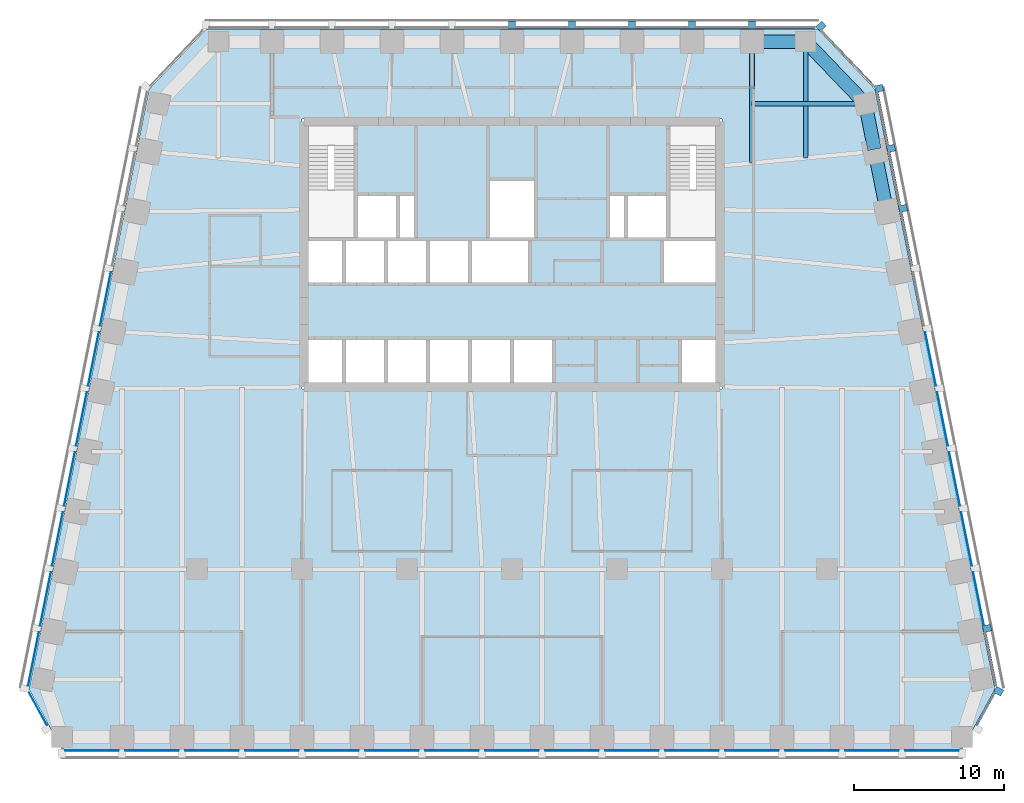
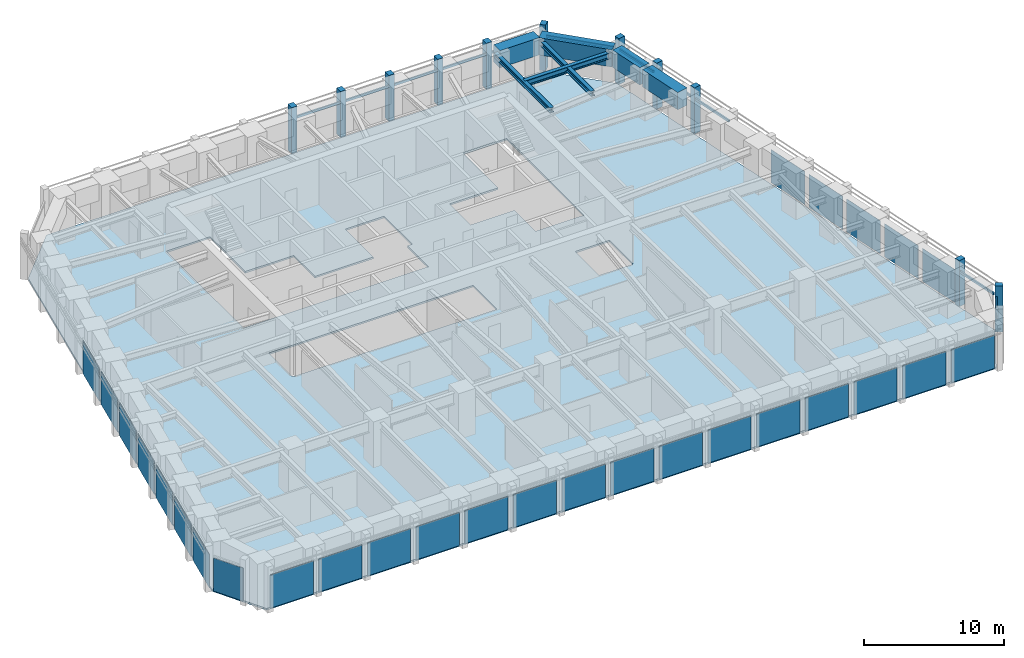
# One storey, part 4 of 10: 28 plates, 22 members, 7 beams, 1 slab, 7 elements without a shape of their own.
"""IFC4 building model written with IfcOpenShell, lengths in metres."""

from ifc_helpers import new_model, si_unit, direction, frame, origin, origin_2d, place, context, subcontext, project, spatial, polyline, rectangle, i_section, outline, extrude, material, layer, layer_set, material_profile, profile_set, type_object, element, aggregate, save


model = new_model("IFC4")

# Units and contexts
model_context = context("Model", 3, precision=1e-05, world=origin(), true_north=direction((0.0, 1.0)))
body_context = subcontext(model_context, "Body", "Model", "MODEL_VIEW")
ifc_project = project(units=[si_unit("LENGTHUNIT", "METRE"), si_unit("AREAUNIT", "SQUARE_METRE"), si_unit("VOLUMEUNIT", "CUBIC_METRE"), si_unit("PLANEANGLEUNIT", "RADIAN"), si_unit("MASSUNIT", "GRAM", prefix="KILO")], contexts=[model_context])

# Site, building, storey
site_placement = place(None, origin())
site = spatial("IfcSite", under=ifc_project, at=site_placement, CompositionType="ELEMENT")
building_placement = place(site_placement, origin())
building = spatial("IfcBuilding", under=site, at=building_placement, Name="Isbrekke Arena Tower", CompositionType="ELEMENT")
storey_placement = place(building_placement, frame((0.0, 0.0, 238.0)))
storey = spatial("IfcBuildingStorey", under=building, at=storey_placement, Name="L55", CompositionType="ELEMENT", Elevation=238.0)

# Beams
ifc_material_1 = material(Name="Steel S355", Category="steel")
ifc_material_profile_1 = material_profile(ifc_material_1, i_section(OverallWidth=0.305908203125, OverallDepth=0.52392578125, WebThickness=0.02099609375, FlangeThickness=0.0400390625, FilletRadius=0.027099609375, at=origin_2d()), Name="HEM 500")
ifc_profile_set_1 = profile_set([ifc_material_profile_1], Name="Steel S355")
beam_type_1 = type_object("IfcBeamType", Name="B5 HEM 500", PredefinedType="BEAM", material=ifc_profile_set_1)
beam_1_placement = place(storey_placement, frame((23.40283203125, 25.029296875, 3.488037109375), z_axis=(-1.0, 0.0, 0.0), x_axis=(0.0, -1.0, 0.0)))
element("IfcBeam", 1, at=beam_1_placement, inside=storey, type_object=beam_type_1, Name="B5 beam E-E11 L55", PredefinedType="BEAM", context=body_context, shape_type="SweptSolid", body=[
    extrude(i_section(OverallWidth=0.305908203125, OverallDepth=0.52392578125, WebThickness=0.02099609375, FlangeThickness=0.0400390625, FilletRadius=0.027099609375, at=origin_2d()), origin(), (0.0, 0.0, 1.0), 7.40283203125),
])
ifc_material_2 = material(Name="Steel S355", Category="steel")
ifc_material_profile_2 = material_profile(ifc_material_2, i_section(OverallWidth=0.306884765625, OverallDepth=0.431884765625, WebThickness=0.02099609375, FlangeThickness=0.0400390625, FilletRadius=0.027099609375, at=origin_2d()), Name="HEM 400")
ifc_profile_set_2 = profile_set([ifc_material_profile_2], Name="Steel S355")
beam_type_2 = type_object("IfcBeamType", Name="B6 HEM 400", PredefinedType="BEAM", material=ifc_profile_set_2)
beam_2_placement = place(storey_placement, frame((19.574951171875, 29.02490234375, 3.533935546875), z_axis=(0.0, -1.0, 0.0), x_axis=(1.0, 0.0, 0.0)))
element("IfcBeam", 2, at=beam_2_placement, inside=storey, type_object=beam_type_2, Name="B6 beam N-N01 L55", PredefinedType="BEAM", context=body_context, shape_type="SweptSolid", body=[
    extrude(i_section(OverallWidth=0.306884765625, OverallDepth=0.431884765625, WebThickness=0.02099609375, FlangeThickness=0.0400390625, FilletRadius=0.027099609375, at=origin_2d()), origin(), (0.0, 0.0, 1.0), 7.6103515625),
])
beam_3_placement = place(storey_placement, frame((16.0, 29.02490234375, 3.533935546875), z_axis=(0.0, -1.0, 0.0), x_axis=(1.0, 0.0, 0.0)))
element("IfcBeam", 3, at=beam_3_placement, inside=storey, type_object=beam_type_2, Name="B6 beam N-N02 L55", PredefinedType="BEAM", context=body_context, shape_type="SweptSolid", body=[
    extrude(i_section(OverallWidth=0.306884765625, OverallDepth=0.431884765625, WebThickness=0.02099609375, FlangeThickness=0.0400390625, FilletRadius=0.027099609375, at=origin_2d()), origin(), (0.0, 0.0, 1.0), 7.949462890625),
])

# Curtain wall, member
ifc_material_3 = material(Name="Glazed aluminium curtain wall", Category="aluminium")
curtain_wall_type = type_object("IfcCurtainWallType", Name="CWH TOWER CURTAIN WALL HIGH ZONE", PredefinedType="USERDEFINED", material=ifc_material_3)
curtain_wall_1_placement = place(storey_placement, origin())
curtain_wall_1 = element("IfcCurtainWall", 4, at=curtain_wall_1_placement, inside=storey, type_object=curtain_wall_type, Name="CWH curtain wall L55-SE", ObjectType="TOWER CURTAIN WALL HIGH ZONE", PredefinedType="USERDEFINED")
ifc_material_4 = material(Name="Aluminium mullion, pale brick slip cladding", Category="masonry")
ifc_material_profile_3 = material_profile(ifc_material_4, rectangle(XDim=0.449951171875, YDim=0.550048828125, at=origin_2d()), Name="PIER 450X550")
ifc_profile_set_3 = profile_set([ifc_material_profile_3], Name="Aluminium mullion, pale brick slip cladding")
member_type_1 = type_object("IfcMemberType", Name="CWH-M PIER MULLION 450 x 550", PredefinedType="MULLION", material=ifc_profile_set_3)
member_1_placement = place(storey_placement, frame((32.44091796875, -14.132568359375, 0.0), z_axis=(0.0, 0.0, 1.0), x_axis=(0.481918749773, 0.876215908676, 0.0)))
member_1 = element("IfcMember", 5, at=member_1_placement, type_object=member_type_1, Name="CWH-M mullion 2", PredefinedType="MULLION", context=body_context, shape_type="SweptSolid", body=[
    extrude(rectangle(XDim=0.449951171875, YDim=0.550048828125, at=origin_2d()), origin(), (0.0, 0.0, 1.0), 4.0),
])

# Curtain wall, members
curtain_wall_2_placement = place(storey_placement, origin())
curtain_wall_2 = element("IfcCurtainWall", 6, at=curtain_wall_2_placement, inside=storey, type_object=curtain_wall_type, Name="CWH curtain wall L55-E", ObjectType="TOWER CURTAIN WALL HIGH ZONE", PredefinedType="USERDEFINED")
member_2_placement = place(storey_placement, frame((31.669677734375, -9.946044921875, 0.0), z_axis=(0.0, 0.0, 1.0), x_axis=(-0.196116135138, 0.980580675691, 0.0)))
member_2 = element("IfcMember", 7, at=member_2_placement, type_object=member_type_1, Name="CWH-M mullion 1", PredefinedType="MULLION", context=body_context, shape_type="SweptSolid", body=[
    extrude(rectangle(XDim=0.449951171875, YDim=0.550048828125, at=origin_2d()), origin(), (0.0, 0.0, 1.0), 4.0),
])
member_3_placement = place(storey_placement, frame((26.069580078125, 18.053955078125, 0.0), z_axis=(0.0, 0.0, 1.0), x_axis=(-0.196116135138, 0.980580675691, 0.0)))
member_3 = element("IfcMember", 8, at=member_3_placement, type_object=member_type_1, Name="CWH-M mullion 8", PredefinedType="MULLION", context=body_context, shape_type="SweptSolid", body=[
    extrude(rectangle(XDim=0.449951171875, YDim=0.550048828125, at=origin_2d()), origin(), (0.0, 0.0, 1.0), 4.0),
])
member_4_placement = place(storey_placement, frame((25.269775390625, 22.053955078125, 0.0), z_axis=(0.0, 0.0, 1.0), x_axis=(-0.196116135138, 0.980580675691, 0.0)))
member_4 = element("IfcMember", 9, at=member_4_placement, type_object=member_type_1, Name="CWH-M mullion 9", PredefinedType="MULLION", context=body_context, shape_type="SweptSolid", body=[
    extrude(rectangle(XDim=0.449951171875, YDim=0.550048828125, at=origin_2d()), origin(), (0.0, 0.0, 1.0), 4.0),
])
member_5_placement = place(storey_placement, frame((24.4697265625, 26.053955078125, 0.0), z_axis=(0.0, 0.0, 1.0), x_axis=(-0.196116135138, 0.980580675691, 0.0)))
member_5 = element("IfcMember", 10, at=member_5_placement, type_object=member_type_1, Name="CWH-M mullion 10", PredefinedType="MULLION", context=body_context, shape_type="SweptSolid", body=[
    extrude(rectangle(XDim=0.449951171875, YDim=0.550048828125, at=origin_2d()), origin(), (0.0, 0.0, 1.0), 4.0),
])

# Curtain wall, member
curtain_wall_3_placement = place(storey_placement, origin())
curtain_wall_3 = element("IfcCurtainWall", 11, at=curtain_wall_3_placement, inside=storey, type_object=curtain_wall_type, Name="CWH curtain wall L55-EN", ObjectType="TOWER CURTAIN WALL HIGH ZONE", PredefinedType="USERDEFINED")
member_6_placement = place(storey_placement, frame((20.599365234375, 30.189453125, 0.0), z_axis=(0.0, 0.0, 1.0), x_axis=(-0.68874946192, 0.72499943359, 0.0)))
member_6 = element("IfcMember", 12, at=member_6_placement, type_object=member_type_1, Name="CWH-M mullion 1", PredefinedType="MULLION", context=body_context, shape_type="SweptSolid", body=[
    extrude(rectangle(XDim=0.449951171875, YDim=0.550048828125, at=origin_2d()), origin(), (0.0, 0.0, 1.0), 4.0),
])

# Curtain wall, members
curtain_wall_4_placement = place(storey_placement, origin())
curtain_wall_4 = element("IfcCurtainWall", 13, at=curtain_wall_4_placement, inside=storey, type_object=curtain_wall_type, Name="CWH curtain wall L55-N", ObjectType="TOWER CURTAIN WALL HIGH ZONE", PredefinedType="USERDEFINED")
member_7_placement = place(storey_placement, frame((16.0, 30.27490234375, 0.0), z_axis=(0.0, 0.0, 1.0), x_axis=(-1.0, 0.0, 0.0)))
member_7 = element("IfcMember", 14, at=member_7_placement, type_object=member_type_1, Name="CWH-M mullion 1", PredefinedType="MULLION", context=body_context, shape_type="SweptSolid", body=[
    extrude(rectangle(XDim=0.449951171875, YDim=0.550048828125, at=origin_2d()), origin(), (0.0, 0.0, 1.0), 4.0),
])
member_8_placement = place(storey_placement, frame((12.0, 30.27490234375, 0.0), z_axis=(0.0, 0.0, 1.0), x_axis=(-1.0, 0.0, 0.0)))
member_8 = element("IfcMember", 15, at=member_8_placement, type_object=member_type_1, Name="CWH-M mullion 2", PredefinedType="MULLION", context=body_context, shape_type="SweptSolid", body=[
    extrude(rectangle(XDim=0.449951171875, YDim=0.550048828125, at=origin_2d()), origin(), (0.0, 0.0, 1.0), 4.0),
])
member_9_placement = place(storey_placement, frame((8.0, 30.27490234375, 0.0), z_axis=(0.0, 0.0, 1.0), x_axis=(-1.0, 0.0, 0.0)))
member_9 = element("IfcMember", 16, at=member_9_placement, type_object=member_type_1, Name="CWH-M mullion 3", PredefinedType="MULLION", context=body_context, shape_type="SweptSolid", body=[
    extrude(rectangle(XDim=0.449951171875, YDim=0.550048828125, at=origin_2d()), origin(), (0.0, 0.0, 1.0), 4.0),
])
member_10_placement = place(storey_placement, frame((4.0, 30.27490234375, 0.0), z_axis=(0.0, 0.0, 1.0), x_axis=(-1.0, 0.0, 0.0)))
member_10 = element("IfcMember", 17, at=member_10_placement, type_object=member_type_1, Name="CWH-M mullion 4", PredefinedType="MULLION", context=body_context, shape_type="SweptSolid", body=[
    extrude(rectangle(XDim=0.449951171875, YDim=0.550048828125, at=origin_2d()), origin(), (0.0, 0.0, 1.0), 4.0),
])
member_11_placement = place(storey_placement, frame((0.0, 30.27490234375, 0.0), z_axis=(0.0, 0.0, 1.0), x_axis=(-1.0, 0.0, 0.0)))
member_11 = element("IfcMember", 18, at=member_11_placement, type_object=member_type_1, Name="CWH-M mullion 5", PredefinedType="MULLION", context=body_context, shape_type="SweptSolid", body=[
    extrude(rectangle(XDim=0.449951171875, YDim=0.550048828125, at=origin_2d()), origin(), (0.0, 0.0, 1.0), 4.0),
])

# Member
ifc_material_5 = material(Name="Aluminium transom", Category="aluminium")
ifc_material_profile_4 = material_profile(ifc_material_5, rectangle(XDim=0.1201171875, YDim=0.199951171875, at=origin_2d()), Name="TRANSOM 120X200")
ifc_profile_set_4 = profile_set([ifc_material_profile_4], Name="Aluminium transom")
member_type_2 = type_object("IfcMemberType", Name="CWH-T TRANSOM 120 x 200", PredefinedType="USERDEFINED", material=ifc_profile_set_4)
member_12_placement = place(storey_placement, frame((31.002197265625, -16.38525390625, 3.0), z_axis=(0.481937937062, 0.876205355393, 0.0), x_axis=(-0.876205355393, 0.481937937062, 0.0)))
member_12 = element("IfcMember", 19, at=member_12_placement, type_object=member_type_2, Name="CWH-T transom 1", ObjectType="TRANSOM", PredefinedType="USERDEFINED", context=body_context, shape_type="SweptSolid", body=[
    extrude(rectangle(XDim=0.1201171875, YDim=0.199951171875, at=origin_2d()), origin(), (0.0, 0.0, 1.0), 2.442138671875),
])

aggregate(curtain_wall_1, [member_1, member_12])

member_13_placement = place(storey_placement, frame((32.25390625, -13.759765625, 3.0), z_axis=(-0.196090262229, 0.980585849918, 0.0), x_axis=(-0.980585849918, -0.196090262229, 0.0)))
member_13 = element("IfcMember", 20, at=member_13_placement, type_object=member_type_2, Name="CWH-T transom 1", ObjectType="TRANSOM", PredefinedType="USERDEFINED", context=body_context, shape_type="SweptSolid", body=[
    extrude(rectangle(XDim=0.1201171875, YDim=0.199951171875, at=origin_2d()), origin(), (0.0, 0.0, 1.0), 3.62939453125),
])

member_14_placement = place(storey_placement, frame((26.654052734375, 14.240234375, 3.0), z_axis=(-0.196154943734, 0.980572913173, 0.0), x_axis=(-0.980572913173, -0.196154943734, 0.0)))
member_14 = element("IfcMember", 21, at=member_14_placement, type_object=member_type_2, Name="CWH-T transom 8", ObjectType="TRANSOM", PredefinedType="USERDEFINED", context=body_context, shape_type="SweptSolid", body=[
    extrude(rectangle(XDim=0.1201171875, YDim=0.199951171875, at=origin_2d()), origin(), (0.0, 0.0, 1.0), 3.62939453125),
])

member_15_placement = place(storey_placement, frame((25.85400390625, 18.240234375, 3.0), z_axis=(-0.196154943734, 0.980572913173, 0.0), x_axis=(-0.980572913173, -0.196154943734, 0.0)))
member_15 = element("IfcMember", 22, at=member_15_placement, type_object=member_type_2, Name="CWH-T transom 9", ObjectType="TRANSOM", PredefinedType="USERDEFINED", context=body_context, shape_type="SweptSolid", body=[
    extrude(rectangle(XDim=0.1201171875, YDim=0.199951171875, at=origin_2d()), origin(), (0.0, 0.0, 1.0), 3.62939453125),
])

member_16_placement = place(storey_placement, frame((25.053955078125, 22.240234375, 3.0), z_axis=(-0.196090262229, 0.980585849918, 0.0), x_axis=(-0.980585849918, -0.196090262229, 0.0)))
member_16 = element("IfcMember", 23, at=member_16_placement, type_object=member_type_2, Name="CWH-T transom 10", ObjectType="TRANSOM", PredefinedType="USERDEFINED", context=body_context, shape_type="SweptSolid", body=[
    extrude(rectangle(XDim=0.1201171875, YDim=0.199951171875, at=origin_2d()), origin(), (0.0, 0.0, 1.0), 3.62939453125),
])

member_17_placement = place(storey_placement, frame((24.117431640625, 26.23193359375, 3.0), z_axis=(-0.688734266994, 0.725013868466, 0.0), x_axis=(-0.725013868466, -0.688734266994, 0.0)))
member_17 = element("IfcMember", 24, at=member_17_placement, type_object=member_type_2, Name="CWH-T transom 1", ObjectType="TRANSOM", PredefinedType="USERDEFINED", context=body_context, shape_type="SweptSolid", body=[
    extrude(rectangle(XDim=0.1201171875, YDim=0.199951171875, at=origin_2d()), origin(), (0.0, 0.0, 1.0), 5.067138671875),
])

aggregate(curtain_wall_3, [member_6, member_17])

member_18_placement = place(storey_placement, frame((20.175048828125, 30.10009765625, 3.0), z_axis=(-1.0, 0.0, 0.0), x_axis=(0.0, -1.0, 0.0)))
member_18 = element("IfcMember", 25, at=member_18_placement, type_object=member_type_2, Name="CWH-T transom 1", ObjectType="TRANSOM", PredefinedType="USERDEFINED", context=body_context, shape_type="SweptSolid", body=[
    extrude(rectangle(XDim=0.1201171875, YDim=0.199951171875, at=origin_2d()), origin(), (0.0, 0.0, 1.0), 3.949951171875),
])

member_19_placement = place(storey_placement, frame((15.77490234375, 30.10009765625, 3.0), z_axis=(-1.0, 0.0, 0.0), x_axis=(0.0, -1.0, 0.0)))
member_19 = element("IfcMember", 26, at=member_19_placement, type_object=member_type_2, Name="CWH-T transom 2", ObjectType="TRANSOM", PredefinedType="USERDEFINED", context=body_context, shape_type="SweptSolid", body=[
    extrude(rectangle(XDim=0.1201171875, YDim=0.199951171875, at=origin_2d()), origin(), (0.0, 0.0, 1.0), 3.5498046875),
])

member_20_placement = place(storey_placement, frame((11.77490234375, 30.10009765625, 3.0), z_axis=(-1.0, 0.0, 0.0), x_axis=(0.0, -1.0, 0.0)))
member_20 = element("IfcMember", 27, at=member_20_placement, type_object=member_type_2, Name="CWH-T transom 3", ObjectType="TRANSOM", PredefinedType="USERDEFINED", context=body_context, shape_type="SweptSolid", body=[
    extrude(rectangle(XDim=0.1201171875, YDim=0.199951171875, at=origin_2d()), origin(), (0.0, 0.0, 1.0), 3.5498046875),
])

member_21_placement = place(storey_placement, frame((7.77490234375, 30.10009765625, 3.0), z_axis=(-1.0, 0.0, 0.0), x_axis=(0.0, -1.0, 0.0)))
member_21 = element("IfcMember", 28, at=member_21_placement, type_object=member_type_2, Name="CWH-T transom 4", ObjectType="TRANSOM", PredefinedType="USERDEFINED", context=body_context, shape_type="SweptSolid", body=[
    extrude(rectangle(XDim=0.1201171875, YDim=0.199951171875, at=origin_2d()), origin(), (0.0, 0.0, 1.0), 3.5498046875),
])

member_22_placement = place(storey_placement, frame((3.77490234375, 30.10009765625, 3.0), z_axis=(-1.0, 0.0, 0.0), x_axis=(0.0, -1.0, 0.0)))
member_22 = element("IfcMember", 29, at=member_22_placement, type_object=member_type_2, Name="CWH-T transom 5", ObjectType="TRANSOM", PredefinedType="USERDEFINED", context=body_context, shape_type="SweptSolid", body=[
    extrude(rectangle(XDim=0.1201171875, YDim=0.199951171875, at=origin_2d()), origin(), (0.0, 0.0, 1.0), 3.5498046875),
])

aggregate(curtain_wall_4, [member_7, member_8, member_9, member_10, member_11, member_18, member_19, member_20, member_21, member_22])

# Beams
ifc_material_6 = material(Name="Concrete B65 (C65/80)", Category="concrete")
ifc_material_profile_5 = material_profile(ifc_material_6, rectangle(XDim=0.89990234375, YDim=1.5, at=origin_2d()), Name="RC 900x1500")
ifc_profile_set_5 = profile_set([ifc_material_profile_5], Name="Concrete B65 (C65/80)")
beam_type_3 = type_object("IfcBeamType", Name="SB3 RC 900 x 1500", PredefinedType="SPANDREL", material=ifc_profile_set_5)
beam_4_placement = place(storey_placement, frame((24.961669921875, 17.9853515625, 3.25), z_axis=(-0.196128558387, 0.980578190959, 0.0), x_axis=(-0.980578190959, -0.196128558387, 0.0)))
element("IfcBeam", 30, at=beam_4_placement, inside=storey, type_object=beam_type_3, Name="SB3 spandrel E09-E10 L55", PredefinedType="SPANDREL", context=body_context, shape_type="SweptSolid", body=[
    extrude(rectangle(XDim=0.89990234375, YDim=1.5, at=origin_2d()), origin(), (0.0, 0.0, 1.0), 3.779296875),
])
beam_5_placement = place(storey_placement, frame((24.16162109375, 21.9853515625, 3.25), z_axis=(-0.196116135138, 0.980580675691, 0.0), x_axis=(-0.980580675691, -0.196116135138, 0.0)))
element("IfcBeam", 31, at=beam_5_placement, inside=storey, type_object=beam_type_3, Name="SB3 spandrel E10-E11 L55", PredefinedType="SPANDREL", context=body_context, shape_type="SweptSolid", body=[
    extrude(rectangle(XDim=0.89990234375, YDim=1.5, at=origin_2d()), origin(), (0.0, 0.0, 1.0), 2.9541015625),
])
beam_6_placement = place(storey_placement, frame((23.448974609375, 25.137451171875, 3.25), z_axis=(-0.692339547635, 0.721571861134, 0.0), x_axis=(-0.721571861134, -0.692339547635, 0.0)))
element("IfcBeam", 32, at=beam_6_placement, inside=storey, type_object=beam_type_3, Name="SB3 spandrel E11-N01 L55", PredefinedType="SPANDREL", context=body_context, shape_type="SweptSolid", body=[
    extrude(rectangle(XDim=0.89990234375, YDim=1.5, at=origin_2d()), origin(), (0.0, 0.0, 1.0), 5.4453125),
])
beam_7_placement = place(storey_placement, frame((19.425048828125, 29.175048828125, 3.25), z_axis=(-1.0, 0.0, 0.0), x_axis=(0.0, -1.0, 0.0)))
element("IfcBeam", 33, at=beam_7_placement, inside=storey, type_object=beam_type_3, Name="SB3 spandrel N01-N02 L55", PredefinedType="SPANDREL", context=body_context, shape_type="SweptSolid", body=[
    extrude(rectangle(XDim=0.89990234375, YDim=1.5, at=origin_2d()), origin(), (0.0, 0.0, 1.0), 3.275146484375),
])

# Curtain wall, plates
curtain_wall_5_placement = place(storey_placement, origin())
curtain_wall_5 = element("IfcCurtainWall", 34, at=curtain_wall_5_placement, inside=storey, type_object=curtain_wall_type, Name="CWH curtain wall L55-S", ObjectType="TOWER CURTAIN WALL HIGH ZONE", PredefinedType="USERDEFINED")
ifc_material_7 = material(Name="Triple-glazed clear glass unit", Category="glass")
ifc_layer_1 = layer(ifc_material_7, 0.031982421875)
ifc_layer_set_1 = layer_set([ifc_layer_1], Name="CWH-P VISION PANEL")
plate_type = type_object("IfcPlateType", Name="CWH-P VISION PANEL", PredefinedType="CURTAIN_PANEL", material=ifc_layer_set_1)
plate_1_placement = place(storey_placement, frame((-28.0, -18.10009765625, 0.02001953125), z_axis=(0.0, 0.0, 1.0), x_axis=(1.0, 0.0, 0.0)))
plate_1 = element("IfcPlate", 35, at=plate_1_placement, type_object=plate_type, Name="CWH-P panel 1", PredefinedType="CURTAIN_PANEL", context=body_context, shape_type="SweptSolid", body=[
    extrude(rectangle(XDim=3.550048828125, YDim=0.031982421875, at=origin_2d()), origin(), (0.0, 0.0, 1.0), 2.8798828125),
])
plate_2_placement = place(storey_placement, frame((-24.0, -18.10009765625, 0.02001953125), z_axis=(0.0, 0.0, 1.0), x_axis=(1.0, 0.0, 0.0)))
plate_2 = element("IfcPlate", 36, at=plate_2_placement, type_object=plate_type, Name="CWH-P panel 2", PredefinedType="CURTAIN_PANEL", context=body_context, shape_type="SweptSolid", body=[
    extrude(rectangle(XDim=3.550048828125, YDim=0.031982421875, at=origin_2d()), origin(), (0.0, 0.0, 1.0), 2.8798828125),
])
plate_3_placement = place(storey_placement, frame((-20.0, -18.10009765625, 0.02001953125), z_axis=(0.0, 0.0, 1.0), x_axis=(1.0, 0.0, 0.0)))
plate_3 = element("IfcPlate", 37, at=plate_3_placement, type_object=plate_type, Name="CWH-P panel 3", PredefinedType="CURTAIN_PANEL", context=body_context, shape_type="SweptSolid", body=[
    extrude(rectangle(XDim=3.550048828125, YDim=0.031982421875, at=origin_2d()), origin(), (0.0, 0.0, 1.0), 2.8798828125),
])
plate_4_placement = place(storey_placement, frame((-16.0, -18.10009765625, 0.02001953125), z_axis=(0.0, 0.0, 1.0), x_axis=(1.0, 0.0, 0.0)))
plate_4 = element("IfcPlate", 38, at=plate_4_placement, type_object=plate_type, Name="CWH-P panel 4", PredefinedType="CURTAIN_PANEL", context=body_context, shape_type="SweptSolid", body=[
    extrude(rectangle(XDim=3.550048828125, YDim=0.031982421875, at=origin_2d()), origin(), (0.0, 0.0, 1.0), 2.8798828125),
])
plate_5_placement = place(storey_placement, frame((-12.0, -18.10009765625, 0.02001953125), z_axis=(0.0, 0.0, 1.0), x_axis=(1.0, 0.0, 0.0)))
plate_5 = element("IfcPlate", 39, at=plate_5_placement, type_object=plate_type, Name="CWH-P panel 5", PredefinedType="CURTAIN_PANEL", context=body_context, shape_type="SweptSolid", body=[
    extrude(rectangle(XDim=3.550048828125, YDim=0.031982421875, at=origin_2d()), origin(), (0.0, 0.0, 1.0), 2.8798828125),
])
plate_6_placement = place(storey_placement, frame((-8.0, -18.10009765625, 0.02001953125), z_axis=(0.0, 0.0, 1.0), x_axis=(1.0, 0.0, 0.0)))
plate_6 = element("IfcPlate", 40, at=plate_6_placement, type_object=plate_type, Name="CWH-P panel 6", PredefinedType="CURTAIN_PANEL", context=body_context, shape_type="SweptSolid", body=[
    extrude(rectangle(XDim=3.550048828125, YDim=0.031982421875, at=origin_2d()), origin(), (0.0, 0.0, 1.0), 2.8798828125),
])
plate_7_placement = place(storey_placement, frame((-4.0, -18.10009765625, 0.02001953125), z_axis=(0.0, 0.0, 1.0), x_axis=(1.0, 0.0, 0.0)))
plate_7 = element("IfcPlate", 41, at=plate_7_placement, type_object=plate_type, Name="CWH-P panel 7", PredefinedType="CURTAIN_PANEL", context=body_context, shape_type="SweptSolid", body=[
    extrude(rectangle(XDim=3.550048828125, YDim=0.031982421875, at=origin_2d()), origin(), (0.0, 0.0, 1.0), 2.8798828125),
])
plate_8_placement = place(storey_placement, frame((0.0, -18.10009765625, 0.02001953125), z_axis=(0.0, 0.0, 1.0), x_axis=(1.0, 0.0, 0.0)))
plate_8 = element("IfcPlate", 42, at=plate_8_placement, type_object=plate_type, Name="CWH-P panel 8", PredefinedType="CURTAIN_PANEL", context=body_context, shape_type="SweptSolid", body=[
    extrude(rectangle(XDim=3.550048828125, YDim=0.031982421875, at=origin_2d()), origin(), (0.0, 0.0, 1.0), 2.8798828125),
])
plate_9_placement = place(storey_placement, frame((4.0, -18.10009765625, 0.02001953125), z_axis=(0.0, 0.0, 1.0), x_axis=(1.0, 0.0, 0.0)))
plate_9 = element("IfcPlate", 43, at=plate_9_placement, type_object=plate_type, Name="CWH-P panel 9", PredefinedType="CURTAIN_PANEL", context=body_context, shape_type="SweptSolid", body=[
    extrude(rectangle(XDim=3.550048828125, YDim=0.031982421875, at=origin_2d()), origin(), (0.0, 0.0, 1.0), 2.8798828125),
])
plate_10_placement = place(storey_placement, frame((8.0, -18.10009765625, 0.02001953125), z_axis=(0.0, 0.0, 1.0), x_axis=(1.0, 0.0, 0.0)))
plate_10 = element("IfcPlate", 44, at=plate_10_placement, type_object=plate_type, Name="CWH-P panel 10", PredefinedType="CURTAIN_PANEL", context=body_context, shape_type="SweptSolid", body=[
    extrude(rectangle(XDim=3.550048828125, YDim=0.031982421875, at=origin_2d()), origin(), (0.0, 0.0, 1.0), 2.8798828125),
])
plate_11_placement = place(storey_placement, frame((12.0, -18.10009765625, 0.02001953125), z_axis=(0.0, 0.0, 1.0), x_axis=(1.0, 0.0, 0.0)))
plate_11 = element("IfcPlate", 45, at=plate_11_placement, type_object=plate_type, Name="CWH-P panel 11", PredefinedType="CURTAIN_PANEL", context=body_context, shape_type="SweptSolid", body=[
    extrude(rectangle(XDim=3.550048828125, YDim=0.031982421875, at=origin_2d()), origin(), (0.0, 0.0, 1.0), 2.8798828125),
])
plate_12_placement = place(storey_placement, frame((16.0, -18.10009765625, 0.02001953125), z_axis=(0.0, 0.0, 1.0), x_axis=(1.0, 0.0, 0.0)))
plate_12 = element("IfcPlate", 46, at=plate_12_placement, type_object=plate_type, Name="CWH-P panel 12", PredefinedType="CURTAIN_PANEL", context=body_context, shape_type="SweptSolid", body=[
    extrude(rectangle(XDim=3.550048828125, YDim=0.031982421875, at=origin_2d()), origin(), (0.0, 0.0, 1.0), 2.8798828125),
])
plate_13_placement = place(storey_placement, frame((20.0, -18.10009765625, 0.02001953125), z_axis=(0.0, 0.0, 1.0), x_axis=(1.0, 0.0, 0.0)))
plate_13 = element("IfcPlate", 47, at=plate_13_placement, type_object=plate_type, Name="CWH-P panel 13", PredefinedType="CURTAIN_PANEL", context=body_context, shape_type="SweptSolid", body=[
    extrude(rectangle(XDim=3.550048828125, YDim=0.031982421875, at=origin_2d()), origin(), (0.0, 0.0, 1.0), 2.8798828125),
])
plate_14_placement = place(storey_placement, frame((24.0, -18.10009765625, 0.02001953125), z_axis=(0.0, 0.0, 1.0), x_axis=(1.0, 0.0, 0.0)))
plate_14 = element("IfcPlate", 48, at=plate_14_placement, type_object=plate_type, Name="CWH-P panel 14", PredefinedType="CURTAIN_PANEL", context=body_context, shape_type="SweptSolid", body=[
    extrude(rectangle(XDim=3.550048828125, YDim=0.031982421875, at=origin_2d()), origin(), (0.0, 0.0, 1.0), 2.8798828125),
])
plate_15_placement = place(storey_placement, frame((28.0, -18.10009765625, 0.02001953125), z_axis=(0.0, 0.0, 1.0), x_axis=(1.0, 0.0, 0.0)))
plate_15 = element("IfcPlate", 49, at=plate_15_placement, type_object=plate_type, Name="CWH-P panel 15", PredefinedType="CURTAIN_PANEL", context=body_context, shape_type="SweptSolid", body=[
    extrude(rectangle(XDim=3.550048828125, YDim=0.031982421875, at=origin_2d()), origin(), (0.0, 0.0, 1.0), 2.8798828125),
])
aggregate(curtain_wall_5, [plate_1, plate_2, plate_3, plate_4, plate_5, plate_6, plate_7, plate_8, plate_9, plate_10, plate_11, plate_12, plate_13, plate_14, plate_15])

# Plate
plate_16_placement = place(storey_placement, frame((31.09814453125, -7.98046875, 0.02001953125), z_axis=(0.0, 0.0, 1.0), x_axis=(-0.196116135138, 0.980580675691, 0.0)))
plate_16 = element("IfcPlate", 50, at=plate_16_placement, type_object=plate_type, Name="CWH-P panel 2", PredefinedType="CURTAIN_PANEL", context=body_context, shape_type="SweptSolid", body=[
    extrude(rectangle(XDim=3.629150390625, YDim=0.031982421875, at=origin_2d()), origin(), (0.0, 0.0, 1.0), 2.8798828125),
])

plate_17_placement = place(storey_placement, frame((30.298095703125, -3.98046875, 0.02001953125), z_axis=(0.0, 0.0, 1.0), x_axis=(-0.196116135138, 0.980580675691, 0.0)))
plate_17 = element("IfcPlate", 51, at=plate_17_placement, type_object=plate_type, Name="CWH-P panel 3", PredefinedType="CURTAIN_PANEL", context=body_context, shape_type="SweptSolid", body=[
    extrude(rectangle(XDim=3.629150390625, YDim=0.031982421875, at=origin_2d()), origin(), (0.0, 0.0, 1.0), 2.8798828125),
])

plate_18_placement = place(storey_placement, frame((29.498046875, 0.01953125, 0.02001953125), z_axis=(0.0, 0.0, 1.0), x_axis=(-0.196116135138, 0.980580675691, 0.0)))
plate_18 = element("IfcPlate", 52, at=plate_18_placement, type_object=plate_type, Name="CWH-P panel 4", PredefinedType="CURTAIN_PANEL", context=body_context, shape_type="SweptSolid", body=[
    extrude(rectangle(XDim=3.629150390625, YDim=0.031982421875, at=origin_2d()), origin(), (0.0, 0.0, 1.0), 2.8798828125),
])

plate_19_placement = place(storey_placement, frame((28.697998046875, 4.01953125, 0.02001953125), z_axis=(0.0, 0.0, 1.0), x_axis=(-0.196116135138, 0.980580675691, 0.0)))
plate_19 = element("IfcPlate", 53, at=plate_19_placement, type_object=plate_type, Name="CWH-P panel 5", PredefinedType="CURTAIN_PANEL", context=body_context, shape_type="SweptSolid", body=[
    extrude(rectangle(XDim=3.629150390625, YDim=0.031982421875, at=origin_2d()), origin(), (0.0, 0.0, 1.0), 2.8798828125),
])

plate_20_placement = place(storey_placement, frame((27.89794921875, 8.01953125, 0.02001953125), z_axis=(0.0, 0.0, 1.0), x_axis=(-0.196116135138, 0.980580675691, 0.0)))
plate_20 = element("IfcPlate", 54, at=plate_20_placement, type_object=plate_type, Name="CWH-P panel 6", PredefinedType="CURTAIN_PANEL", context=body_context, shape_type="SweptSolid", body=[
    extrude(rectangle(XDim=3.629150390625, YDim=0.031982421875, at=origin_2d()), origin(), (0.0, 0.0, 1.0), 2.8798828125),
])

aggregate(curtain_wall_2, [member_2, member_3, member_4, member_5, member_13, plate_16, plate_17, plate_18, plate_19, plate_20, member_14, member_15, member_16])

# Curtain wall, plates
curtain_wall_6_placement = place(storey_placement, origin())
curtain_wall_6 = element("IfcCurtainWall", 55, at=curtain_wall_6_placement, inside=storey, type_object=curtain_wall_type, Name="CWH curtain wall L55-W", ObjectType="TOWER CURTAIN WALL HIGH ZONE", PredefinedType="USERDEFINED")
plate_21_placement = place(storey_placement, frame((-27.09814453125, 12.01953125, 0.02001953125), z_axis=(0.0, 0.0, 1.0), x_axis=(-0.196116135138, -0.980580675691, 0.0)))
plate_21 = element("IfcPlate", 56, at=plate_21_placement, type_object=plate_type, Name="CWH-P panel 4", PredefinedType="CURTAIN_PANEL", context=body_context, shape_type="SweptSolid", body=[
    extrude(rectangle(XDim=3.629150390625, YDim=0.031982421875, at=origin_2d()), origin(), (0.0, 0.0, 1.0), 2.8798828125),
])
plate_22_placement = place(storey_placement, frame((-27.89794921875, 8.01953125, 0.02001953125), z_axis=(0.0, 0.0, 1.0), x_axis=(-0.196116135138, -0.980580675691, 0.0)))
plate_22 = element("IfcPlate", 57, at=plate_22_placement, type_object=plate_type, Name="CWH-P panel 5", PredefinedType="CURTAIN_PANEL", context=body_context, shape_type="SweptSolid", body=[
    extrude(rectangle(XDim=3.629150390625, YDim=0.031982421875, at=origin_2d()), origin(), (0.0, 0.0, 1.0), 2.8798828125),
])
plate_23_placement = place(storey_placement, frame((-28.697998046875, 4.01953125, 0.02001953125), z_axis=(0.0, 0.0, 1.0), x_axis=(-0.196116135138, -0.980580675691, 0.0)))
plate_23 = element("IfcPlate", 58, at=plate_23_placement, type_object=plate_type, Name="CWH-P panel 6", PredefinedType="CURTAIN_PANEL", context=body_context, shape_type="SweptSolid", body=[
    extrude(rectangle(XDim=3.629150390625, YDim=0.031982421875, at=origin_2d()), origin(), (0.0, 0.0, 1.0), 2.8798828125),
])
plate_24_placement = place(storey_placement, frame((-29.498046875, 0.01953125, 0.02001953125), z_axis=(0.0, 0.0, 1.0), x_axis=(-0.196116135138, -0.980580675691, 0.0)))
plate_24 = element("IfcPlate", 59, at=plate_24_placement, type_object=plate_type, Name="CWH-P panel 7", PredefinedType="CURTAIN_PANEL", context=body_context, shape_type="SweptSolid", body=[
    extrude(rectangle(XDim=3.629150390625, YDim=0.031982421875, at=origin_2d()), origin(), (0.0, 0.0, 1.0), 2.8798828125),
])
plate_25_placement = place(storey_placement, frame((-30.298095703125, -3.98046875, 0.02001953125), z_axis=(0.0, 0.0, 1.0), x_axis=(-0.196116135138, -0.980580675691, 0.0)))
plate_25 = element("IfcPlate", 60, at=plate_25_placement, type_object=plate_type, Name="CWH-P panel 8", PredefinedType="CURTAIN_PANEL", context=body_context, shape_type="SweptSolid", body=[
    extrude(rectangle(XDim=3.629150390625, YDim=0.031982421875, at=origin_2d()), origin(), (0.0, 0.0, 1.0), 2.8798828125),
])
plate_26_placement = place(storey_placement, frame((-31.09814453125, -7.98046875, 0.02001953125), z_axis=(0.0, 0.0, 1.0), x_axis=(-0.196116135138, -0.980580675691, 0.0)))
plate_26 = element("IfcPlate", 61, at=plate_26_placement, type_object=plate_type, Name="CWH-P panel 9", PredefinedType="CURTAIN_PANEL", context=body_context, shape_type="SweptSolid", body=[
    extrude(rectangle(XDim=3.629150390625, YDim=0.031982421875, at=origin_2d()), origin(), (0.0, 0.0, 1.0), 2.8798828125),
])
plate_27_placement = place(storey_placement, frame((-31.89794921875, -11.98046875, 0.02001953125), z_axis=(0.0, 0.0, 1.0), x_axis=(-0.196116135138, -0.980580675691, 0.0)))
plate_27 = element("IfcPlate", 62, at=plate_27_placement, type_object=plate_type, Name="CWH-P panel 10", PredefinedType="CURTAIN_PANEL", context=body_context, shape_type="SweptSolid", body=[
    extrude(rectangle(XDim=3.629150390625, YDim=0.031982421875, at=origin_2d()), origin(), (0.0, 0.0, 1.0), 2.8798828125),
])
aggregate(curtain_wall_6, [plate_21, plate_22, plate_23, plate_24, plate_25, plate_26, plate_27])

# Curtain wall, plate
curtain_wall_7_placement = place(storey_placement, origin())
curtain_wall_7 = element("IfcCurtainWall", 63, at=curtain_wall_7_placement, inside=storey, type_object=curtain_wall_type, Name="CWH curtain wall L55-WS", ObjectType="TOWER CURTAIN WALL HIGH ZONE", PredefinedType="USERDEFINED")
plate_28_placement = place(storey_placement, frame((-31.59033203125, -15.31591796875, 0.02001953125), z_axis=(0.0, 0.0, 1.0), x_axis=(0.481918749773, -0.876215908676, 0.0)))
plate_28 = element("IfcPlate", 64, at=plate_28_placement, type_object=plate_type, Name="CWH-P panel 1", PredefinedType="CURTAIN_PANEL", context=body_context, shape_type="SweptSolid", body=[
    extrude(rectangle(XDim=2.443603515625, YDim=0.031982421875, at=origin_2d()), origin(), (0.0, 0.0, 1.0), 2.8798828125),
])
aggregate(curtain_wall_7, [plate_28])

# Slab
ifc_material_8 = material(Name="Concrete B35 (C35/45)", Category="concrete")
ifc_layer_2 = layer(ifc_material_8, 0.14990234375)
ifc_layer_set_2 = layer_set([ifc_layer_2], Name="FS1 COMPOSITE FLOOR 150")
slab_type = type_object("IfcSlabType", Name="FS1 COMPOSITE FLOOR 150", PredefinedType="FLOOR", material=ifc_layer_set_2)
slab_placement = place(storey_placement, frame((0.0, 0.0, -0.14990234375)))
element("IfcSlab", 65, at=slab_placement, inside=storey, type_object=slab_type, Name="FS1 floor slab L55", PredefinedType="FLOOR", context=body_context, shape_type="SweptSolid", body=[
    extrude(outline(polyline([(-30.0, -18.0), (30.0, -18.0), (32.199951171875, -14.0), (24.199951171875, 26.0), (20.39990234375, 30.0), (-20.39990234375, 30.0), (-24.199951171875, 26.0), (-32.199951171875, -14.0), (-30.0, -18.0)]), holes=[polyline([(2.800048828125, 9.39990234375), (2.800048828125, 6.0), (-14.0, 6.0), (-14.0, 9.39990234375), (2.800048828125, 9.39990234375)]), polyline([(11.199951171875, 6.0), (11.199951171875, 9.39990234375), (14.0, 9.39990234375), (14.0, 6.0), (11.199951171875, 6.0)]), polyline([(-14.0, 13.0), (-14.0, 24.0), (-10.39990234375, 24.0), (-10.39990234375, 19.0), (-6.39990234375, 19.0), (-6.39990234375, 16.0), (-1.60009765625, 16.0), (-1.60009765625, 20.0), (1.60009765625, 20.0), (1.60009765625, 16.0), (1.199951171875, 16.0), (1.199951171875, 13.0), (-14.0, 13.0)]), polyline([(10.0, 13.0), (10.0, 16.0), (6.39990234375, 16.0), (6.39990234375, 19.0), (10.39990234375, 19.0), (10.39990234375, 24.0), (14.0, 24.0), (14.0, 13.0), (10.0, 13.0)])]), origin(), (0.0, 0.0, 1.0), 0.14990234375),
])

save(model, "model.ifc")
